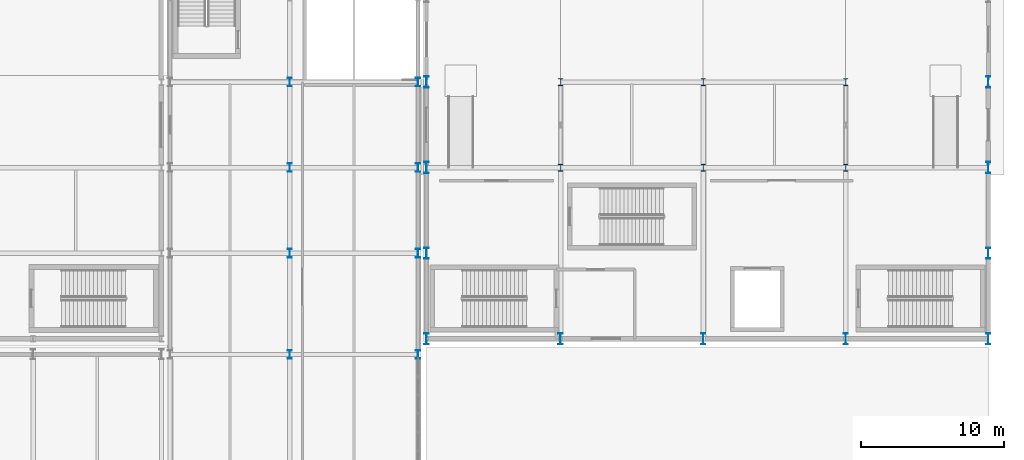
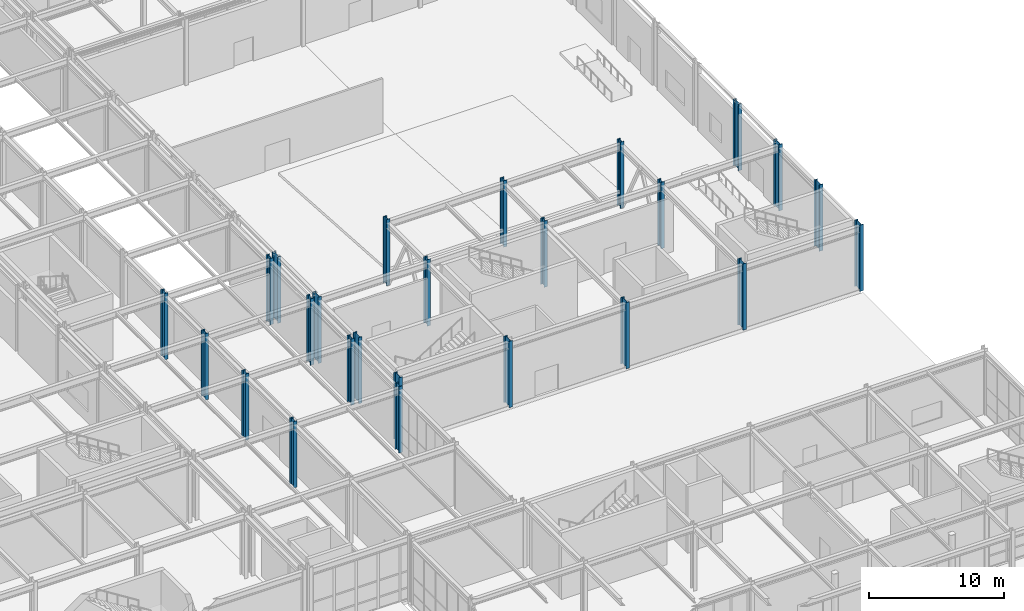
# One storey, part 16 of 146: 25 columns.
"""IFC4 building model written with IfcOpenShell, lengths in metres."""

import ifcopenshell
import ifcopenshell.guid

model = None  # the IFC model being written
_history = None  # IfcOwnerHistory: only IFC2X3 demands one
_inside = {}  # id of a spatial element -> (the spatial element, [elements in it])
_under = {}  # id of a project, library or spatial element -> (it, [spatial elements below it])
_declared = {}  # id of a project -> (the project, [libraries it declares])
_typed = {}  # id of a type object -> (the type object, [elements of that type])
_made_of = {}  # id of a material, layer set ... -> (it, [elements and type objects made of it])


def new_model(schema):
    """Start an empty IFC model of exactly this schema.

    Asked for "IFC4X3", IfcOpenShell would pick the latest addendum, in which some entities
    have other attributes; the version numbers below select the first issue.
    IFC2X3 requires an IfcOwnerHistory on every rooted entity: one is made here for all.
    """
    global model, _history
    if schema == "IFC4X3":
        model = ifcopenshell.file(schema_version=(4, 3, 0, 0))
    else:
        model = ifcopenshell.file(schema=schema)
    _inside.clear()
    _under.clear()
    _declared.clear()
    _typed.clear()
    _made_of.clear()
    _history = None
    if model.schema == "IFC2X3":
        org = make("IfcOrganization", Name="unknown")
        user = make(
            "IfcPersonAndOrganization",
            ThePerson=make("IfcPerson", FamilyName="unknown"),
            TheOrganization=org,
        )
        app = make(
            "IfcApplication",
            ApplicationDeveloper=org,
            Version="unknown",
            ApplicationFullName="unknown",
            ApplicationIdentifier="unknown",
        )
        _history = make(
            "IfcOwnerHistory",
            OwningUser=user,
            OwningApplication=app,
            ChangeAction="ADDED",
            CreationDate=0,
        )
    return model


def make(cls, **values):
    """One entity of the class cls with the attributes given. An attribute that is None is left unset."""
    return model.create_entity(
        cls, **{name: value for name, value in values.items() if value is not None}
    )


def rooted(cls, **values):
    """An entity with a GlobalId (a new one), such as an element, a storey or a relation."""
    return make(cls, GlobalId=ifcopenshell.guid.new(), OwnerHistory=_history, **values)


def si_unit(unit_type, name, prefix=None):
    """IfcSIUnit, for example si_unit("LENGTHUNIT", "METRE", prefix="MILLI")."""
    return make("IfcSIUnit", UnitType=unit_type, Prefix=prefix, Name=name)


def assignment(units):
    """IfcUnitAssignment: the units of a project."""
    return None if units is None else make("IfcUnitAssignment", Units=units)


def point(xyz):
    """IfcCartesianPoint."""
    return None if xyz is None else make("IfcCartesianPoint", Coordinates=xyz)


def direction(xyz):
    """IfcDirection."""
    return None if xyz is None else make("IfcDirection", DirectionRatios=xyz)


def frame(location, z_axis=None, x_axis=None):
    """IfcAxis2Placement3D, a coordinate frame: its origin and axes. An axis left out is left unset."""
    return make(
        "IfcAxis2Placement3D",
        Location=point(location),
        Axis=direction(z_axis),
        RefDirection=direction(x_axis),
    )


def frame_2d(location, x_axis=None):
    """IfcAxis2Placement2D, a coordinate frame in the plane: its origin and x axis."""
    return make(
        "IfcAxis2Placement2D", Location=point(location), RefDirection=direction(x_axis)
    )


def origin():
    """The frame at (0, 0, 0) with its axes left unset."""
    return frame((0.0, 0.0, 0.0))


def origin_2d():
    """The frame at (0, 0) in the plane with its x axis left unset."""
    return frame_2d((0.0, 0.0))


def place(relative_to, where):
    """IfcLocalPlacement: puts the frame where relative to a parent placement (None: the world)."""
    return make(
        "IfcLocalPlacement", PlacementRelTo=relative_to, RelativePlacement=where
    )


def context(
    kind, dimensions, precision=None, world=None, true_north=None, identifier=None
):
    """IfcGeometricRepresentationContext, for example the 3D "Model" context."""
    return make(
        "IfcGeometricRepresentationContext",
        ContextIdentifier=identifier,
        ContextType=kind,
        CoordinateSpaceDimension=dimensions,
        Precision=precision,
        WorldCoordinateSystem=world,
        TrueNorth=true_north,
    )


def subcontext(parent, identifier, kind, view, scale=None):
    """IfcGeometricRepresentationSubContext, for example "Body" below "Model"."""
    return make(
        "IfcGeometricRepresentationSubContext",
        ContextIdentifier=identifier,
        ContextType=kind,
        ParentContext=parent,
        TargetScale=scale,
        TargetView=view,
    )


def project(units=None, contexts=None):
    """IfcProject with its units and contexts."""
    return rooted(
        "IfcProject",
        Name="project",
        RepresentationContexts=contexts,
        UnitsInContext=assignment(units),
    )


def spatial(cls, under=None, at=None, **own):
    """A site, building, storey or space (cls), placed at a placement, below another one or the project."""
    s = rooted(cls, ObjectPlacement=at, **own)
    if under is not None:
        _under.setdefault(under.id(), (under, []))[1].append(s)
    return s


def profile(cls, at=None, kind="AREA", **sizes):
    """A parametric profile (cls). Its sizes go by their IFC names, for example OverallWidth=200.0."""
    return make(cls, ProfileType=kind, Position=at, **sizes)


def i_section(**sizes):
    """IfcIShapeProfileDef."""
    return profile("IfcIShapeProfileDef", **sizes)


def extrude(swept, where, along, depth):
    """IfcExtrudedAreaSolid: the profile swept, set in the frame where, extruded along a direction by depth."""
    return make(
        "IfcExtrudedAreaSolid",
        SweptArea=swept,
        Position=where,
        ExtrudedDirection=direction(along),
        Depth=depth,
    )


def shape(context_of_items, identifier, shape_type, items):
    """IfcShapeRepresentation: the items that make up one representation, for example the "Body"."""
    return make(
        "IfcShapeRepresentation",
        ContextOfItems=context_of_items,
        RepresentationIdentifier=identifier,
        RepresentationType=shape_type,
        Items=items,
    )


def material(Name=None, Category=None):
    """IfcMaterial."""
    return make("IfcMaterial", Name=Name, Category=Category)


def material_profile(
    of_material, cross_section, Name=None, Category=None, Priority=None
):
    """IfcMaterialProfile: a cross section and its material."""
    return make(
        "IfcMaterialProfile",
        Name=Name,
        Material=of_material,
        Profile=cross_section,
        Priority=Priority,
        Category=Category,
    )


def profile_set(profiles, Name=None, composite=None):
    """IfcMaterialProfileSet."""
    return make(
        "IfcMaterialProfileSet",
        Name=Name,
        MaterialProfiles=profiles,
        CompositeProfile=composite,
    )


def made_of(thing, what):
    """Note that an element or type object is made of a material, layer set ...; save() writes the relation."""
    if what is not None:
        _made_of.setdefault(what.id(), (what, []))[1].append(thing)
    return thing


def type_object(cls, material=None, **own):
    """A type object (cls), such as IfcWallType, which elements share."""
    return made_of(rooted(cls, **own), material)


def element(
    cls,
    number,
    at=None,
    inside=None,
    cuts=None,
    type_object=None,
    material=None,
    context=None,
    identifier="Body",
    shape_type=None,
    held_by="IfcProductDefinitionShape",
    body=None,
    shapes=None,
    **own,
):
    """One element of the class cls, such as IfcWall. Its Tag is "e" and its number.

    at: its placement. inside: the storey or other place that contains it. cuts: it is an
    opening in that element (IfcRelVoidsElement). A single representation is given by context,
    identifier, shape_type and body (its items); several are given by shapes. held_by: the class
    of the entity that holds the representations. save() writes the other relations.
    """
    e = rooted(cls, Tag="e%d" % number, ObjectPlacement=at, **own)
    if body is not None:
        shapes = [shape(context, identifier, shape_type, body)]
    if shapes is not None:
        e.Representation = make(held_by, Representations=shapes)
    if inside is not None:
        _inside.setdefault(inside.id(), (inside, []))[1].append(e)
    if cuts is not None:
        rooted(
            "IfcRelVoidsElement", RelatingBuildingElement=cuts, RelatedOpeningElement=e
        )
    if type_object is not None:
        _typed.setdefault(type_object.id(), (type_object, []))[1].append(e)
    return made_of(e, material)


def aggregate(whole, parts):
    """IfcRelAggregates: a whole, such as a stair, and the parts it consists of."""
    return rooted("IfcRelAggregates", RelatingObject=whole, RelatedObjects=parts)


def save(model, path):
    """Write the relations noted so far, then the file.

    IfcRelAggregates (storeys below a building ...), IfcRelContainedInSpatialStructure (elements
    in a storey), IfcRelDefinesByType, IfcRelAssociatesMaterial and IfcRelDeclares: one each for
    every whole, place, type object, material and project.
    """
    for whole, parts in _under.values():
        aggregate(whole, parts)
    for where, things in _inside.values():
        rooted(
            "IfcRelContainedInSpatialStructure",
            RelatedElements=things,
            RelatingStructure=where,
        )
    for kind, things in _typed.values():
        rooted("IfcRelDefinesByType", RelatedObjects=things, RelatingType=kind)
    for what, things in _made_of.values():
        rooted("IfcRelAssociatesMaterial", RelatedObjects=things, RelatingMaterial=what)
    for by, libraries in _declared.values():
        rooted("IfcRelDeclares", RelatingContext=by, RelatedDefinitions=libraries)
    model.write(path)


model = new_model("IFC4")

# Units and contexts
model_context = context("Model", 3, precision=1e-05, world=origin(), true_north=direction((0.0, 1.0)))
body_context = subcontext(model_context, "Body", "Model", "MODEL_VIEW")
ifc_project = project(units=[si_unit("LENGTHUNIT", "METRE"), si_unit("AREAUNIT", "SQUARE_METRE"), si_unit("VOLUMEUNIT", "CUBIC_METRE"), si_unit("PLANEANGLEUNIT", "RADIAN"), si_unit("MASSUNIT", "GRAM", prefix="KILO")], contexts=[model_context])

# Site, building, storey
site_placement = place(None, origin())
site = spatial("IfcSite", under=ifc_project, at=site_placement, CompositionType="ELEMENT")
building_placement = place(site_placement, origin())
building = spatial("IfcBuilding", under=site, at=building_placement, Name="Kaldris Quays Convention Centre", CompositionType="ELEMENT")
storey_placement = place(building_placement, origin())
storey = spatial("IfcBuildingStorey", under=building, at=storey_placement, Name="L00", CompositionType="ELEMENT", Elevation=0.0)

# Columns
ifc_material = material(Name="Steel S355J2", Category="steel")
ifc_material_profile_1 = material_profile(ifc_material, i_section(OverallWidth=0.300048828125, OverallDepth=0.800048828125, WebThickness=0.017578125, FlangeThickness=0.032958984375, FilletRadius=0.030029296875, at=origin_2d()), Name="HEB 800")
ifc_profile_set_1 = profile_set([ifc_material_profile_1], Name="Steel S355J2")
column_type_1 = type_object("IfcColumnType", Name="STRUCTURAL COLUMN CL04", PredefinedType="COLUMN", material=ifc_profile_set_1)
for number, where, z_axis, x_axis, name in (
    (1, (164.60009765625, 56.0, 0.0), (0.0, 0.0, 1.0), (1.0, 0.0, 0.0), "L00 V2 Column CL04 (164.60, 56.00)"),
    (2, (164.60009765625, 62.0, 0.0), (0.0, 0.0, 1.0), (1.0, 0.0, 0.0), "L00 V2 Column CL04 (164.60, 62.00)"),
    (3, (164.60009765625, 68.0, 0.0), (0.0, 0.0, 1.0), (1.0, 0.0, 0.0), "L00 V2 Column CL04 (164.60, 68.00)"),
    (4, (164.60009765625, 74.0, 0.0), (0.0, 0.0, 1.0), (1.0, 0.0, 0.0), "L00 V2 Column CL04 (164.60, 74.00)"),
    (5, (174.0, 56.0, 0.0), (0.0, 0.0, 1.0), (1.0, 0.0, 0.0), "L00 V2 Column CL04 (174.00, 56.00)"),
    (6, (184.0, 56.0, 0.0), (0.0, 0.0, 1.0), (1.0, 0.0, 0.0), "L00 V2 Column CL04 (184.00, 56.00)"),
    (7, (194.0, 56.0, 0.0), (0.0, 0.0, 1.0), (1.0, 0.0, 0.0), "L00 V2 Column CL04 (194.00, 56.00)"),
    (8, (204.0, 56.0, 0.0), (0.0, 0.0, 1.0), (1.0, 0.0, 0.0), "L00 V2 Column CL04 (204.00, 56.00)"),
    (9, (204.0, 62.0, 0.0), (0.0, 0.0, 1.0), (1.0, 0.0, 0.0), "L00 V2 Column CL04 (204.00, 62.00)"),
    (10, (204.0, 68.0, 0.0), (0.0, 0.0, 1.0), (1.0, 0.0, 0.0), "L00 V2 Column CL04 (204.00, 68.00)"),
    (11, (204.0, 74.0, 0.0), (0.0, 0.0, 1.0), (1.0, 0.0, 0.0), "L00 V2 Column CL04 (204.00, 74.00)"),
):
    element("IfcColumn", number, at=place(storey_placement, frame(where, z_axis=z_axis, x_axis=x_axis)), inside=storey, type_object=column_type_1, Name=name, PredefinedType="COLUMN", context=body_context, shape_type="SweptSolid", body=[
        extrude(i_section(OverallWidth=0.300048828125, OverallDepth=0.800048828125, WebThickness=0.017578125, FlangeThickness=0.032958984375, FilletRadius=0.030029296875, at=origin_2d()), origin(), (0.0, 0.0, 1.0), 6.0),
    ])
ifc_material_profile_2 = material_profile(ifc_material, i_section(OverallWidth=0.300048828125, OverallDepth=0.60009765625, WebThickness=0.015380859375, FlangeThickness=0.030029296875, FilletRadius=0.027099609375, at=origin_2d()), Name="HEB 600")
ifc_profile_set_2 = profile_set([ifc_material_profile_2], Name="Steel S355J2")
column_type_2 = type_object("IfcColumnType", Name="STRUCTURAL COLUMN CL06", PredefinedType="COLUMN", material=ifc_profile_set_2)
for number, where, z_axis, x_axis, name in (
    (12, (155.0, 54.89990234375, 0.0), (0.0, 0.0, 1.0), (1.0, 0.0, 0.0), "L00 V4 Column CL06 (155.00, 54.90)"),
    (13, (155.0, 62.0, 0.0), (0.0, 0.0, 1.0), (1.0, 0.0, 0.0), "L00 V4 Column CL06 (155.00, 62.00)"),
    (14, (155.0, 68.0, 0.0), (0.0, 0.0, 1.0), (1.0, 0.0, 0.0), "L00 V4 Column CL06 (155.00, 68.00)"),
    (15, (155.0, 74.0, 0.0), (0.0, 0.0, 1.0), (1.0, 0.0, 0.0), "L00 V4 Column CL06 (155.00, 74.00)"),
    (16, (164.0, 54.89990234375, 0.0), (0.0, 0.0, 1.0), (1.0, 0.0, 0.0), "L00 V4 Column CL06 (164.00, 54.90)"),
    (17, (164.0, 62.0, 0.0), (0.0, 0.0, 1.0), (1.0, 0.0, 0.0), "L00 V4 Column CL06 (164.00, 62.00)"),
    (18, (164.0, 68.0, 0.0), (0.0, 0.0, 1.0), (1.0, 0.0, 0.0), "L00 V4 Column CL06 (164.00, 68.00)"),
    (19, (164.0, 74.0, 0.0), (0.0, 0.0, 1.0), (1.0, 0.0, 0.0), "L00 V4 Column CL06 (164.00, 74.00)"),
):
    element("IfcColumn", number, at=place(storey_placement, frame(where, z_axis=z_axis, x_axis=x_axis)), inside=storey, type_object=column_type_2, Name=name, PredefinedType="COLUMN", context=body_context, shape_type="SweptSolid", body=[
        extrude(i_section(OverallWidth=0.300048828125, OverallDepth=0.60009765625, WebThickness=0.015380859375, FlangeThickness=0.030029296875, FilletRadius=0.027099609375, at=origin_2d()), origin(), (0.0, 0.0, 1.0), 6.0),
    ])
ifc_material_profile_3 = material_profile(ifc_material, i_section(OverallWidth=0.300048828125, OverallDepth=0.5, WebThickness=0.014404296875, FlangeThickness=0.028076171875, FilletRadius=0.027099609375, at=origin_2d()), Name="HEB 500")
ifc_profile_set_3 = profile_set([ifc_material_profile_3], Name="Steel S355J2")
column_type_3 = type_object("IfcColumnType", Name="STRUCTURAL COLUMN CL07", PredefinedType="COLUMN", material=ifc_profile_set_3)
for number, where, z_axis, x_axis, name in (
    (20, (174.0, 68.0, 0.0), (0.0, 0.0, 1.0), (1.0, 0.0, 0.0), "L00 V2 Column CL07 (174.00, 68.00)"),
    (21, (174.0, 74.0, 0.0), (0.0, 0.0, 1.0), (1.0, 0.0, 0.0), "L00 V2 Column CL07 (174.00, 74.00)"),
    (22, (184.0, 68.0, 0.0), (0.0, 0.0, 1.0), (1.0, 0.0, 0.0), "L00 V2 Column CL07 (184.00, 68.00)"),
    (23, (184.0, 74.0, 0.0), (0.0, 0.0, 1.0), (1.0, 0.0, 0.0), "L00 V2 Column CL07 (184.00, 74.00)"),
    (24, (194.0, 68.0, 0.0), (0.0, 0.0, 1.0), (1.0, 0.0, 0.0), "L00 V2 Column CL07 (194.00, 68.00)"),
    (25, (194.0, 74.0, 0.0), (0.0, 0.0, 1.0), (1.0, 0.0, 0.0), "L00 V2 Column CL07 (194.00, 74.00)"),
):
    element("IfcColumn", number, at=place(storey_placement, frame(where, z_axis=z_axis, x_axis=x_axis)), inside=storey, type_object=column_type_3, Name=name, PredefinedType="COLUMN", context=body_context, shape_type="SweptSolid", body=[
        extrude(i_section(OverallWidth=0.300048828125, OverallDepth=0.5, WebThickness=0.014404296875, FlangeThickness=0.028076171875, FilletRadius=0.027099609375, at=origin_2d()), origin(), (0.0, 0.0, 1.0), 6.0),
    ])

save(model, "model.ifc")
